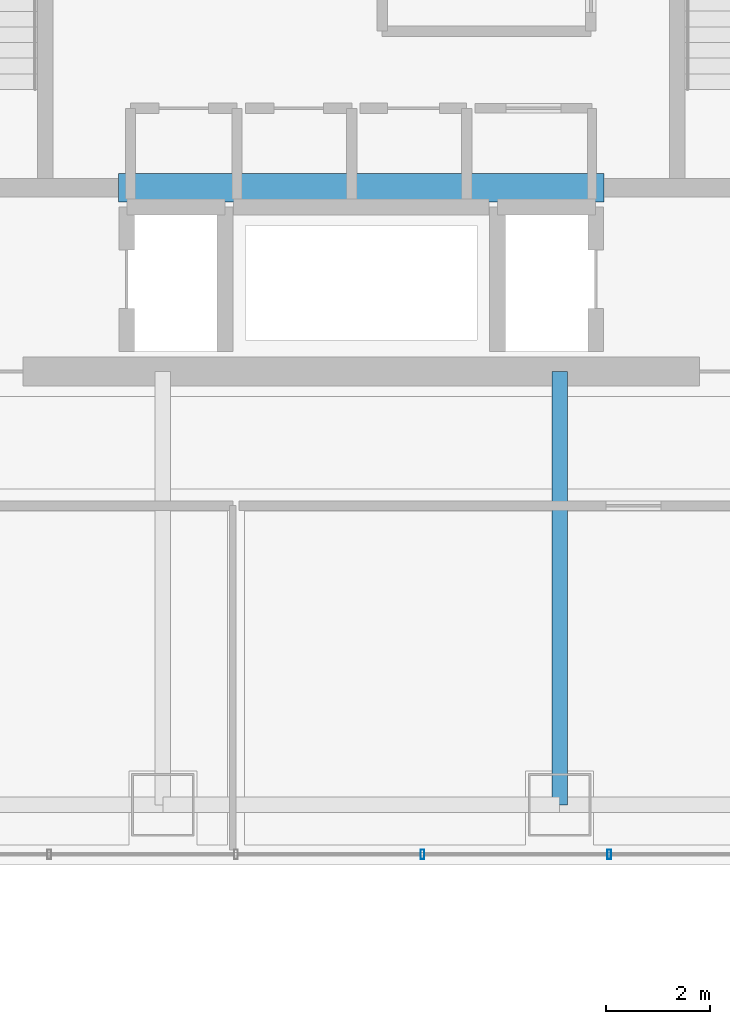
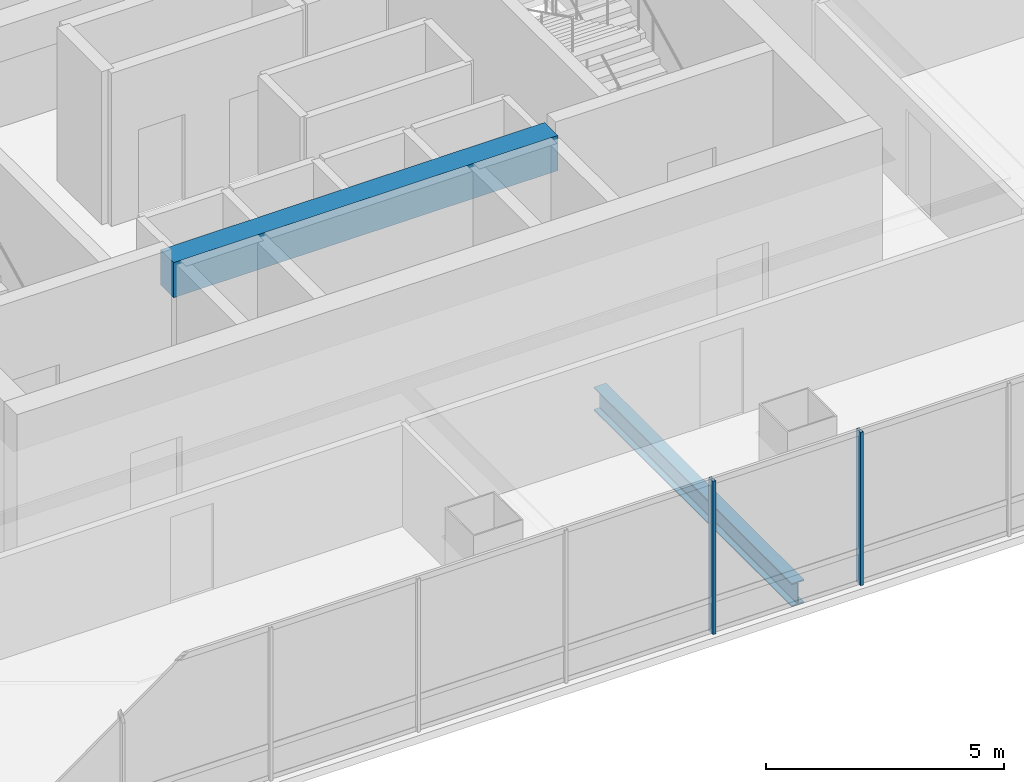
# One storey, part 8 of 51: 2 beams, 2 members, 1 element without a shape of its own.
"""IFC4 building model written with IfcOpenShell, lengths in metres."""

from ifc_helpers import new_model, si_unit, direction, frame, origin, origin_2d, place, context, subcontext, project, spatial, rectangle, hollow_rectangle, i_section, extrude, material, material_profile, profile_set, type_object, element, aggregate, save


model = new_model("IFC4")

# Units and contexts
model_context = context("Model", 3, precision=1e-05, world=origin(), true_north=direction((0.0, 1.0)))
body_context = subcontext(model_context, "Body", "Model", "MODEL_VIEW")
ifc_project = project(units=[si_unit("LENGTHUNIT", "METRE"), si_unit("AREAUNIT", "SQUARE_METRE"), si_unit("VOLUMEUNIT", "CUBIC_METRE"), si_unit("PLANEANGLEUNIT", "RADIAN"), si_unit("MASSUNIT", "GRAM", prefix="KILO")], contexts=[model_context])

# Site, building, storey
site_placement = place(None, origin())
site = spatial("IfcSite", under=ifc_project, at=site_placement, CompositionType="ELEMENT")
building_placement = place(site_placement, origin())
building = spatial("IfcBuilding", under=site, at=building_placement, Name="Punatoya Terracotta Tower", CompositionType="ELEMENT")
storey_placement = place(building_placement, frame((0.0, 0.0, 313.199951171875)))
storey = spatial("IfcBuildingStorey", under=building, at=storey_placement, Name="L74", CompositionType="ELEMENT", Elevation=313.199951171875)

# Beams
ifc_material_1 = material(Name="Steel S355", Category="steel")
ifc_material_profile_1 = material_profile(ifc_material_1, i_section(OverallWidth=0.300048828125, OverallDepth=0.60009765625, WebThickness=0.015380859375, FlangeThickness=0.030029296875, FilletRadius=0.01806640625, at=origin_2d()))
ifc_profile_set_1 = profile_set([ifc_material_profile_1], Name="Steel S355")
beam_type_1 = type_object("IfcBeamType", Name="BM-PRI-600", PredefinedType="BEAM", material=ifc_profile_set_1)
beam_1_placement = place(storey_placement, frame((3.800048828125, -17.5, -0.5), z_axis=(0.0, 1.0, 0.0), x_axis=(-1.0, 0.0, 0.0)))
element("IfcBeam", 1, at=beam_1_placement, inside=storey, type_object=beam_type_1, Name="BM-L74-PR-S3", PredefinedType="BEAM", context=body_context, shape_type="SweptSolid", body=[
    extrude(i_section(OverallWidth=0.300048828125, OverallDepth=0.60009765625, WebThickness=0.015380859375, FlangeThickness=0.030029296875, FilletRadius=0.01806640625, at=origin_2d()), origin(), (0.0, 0.0, 1.0), 8.300048828125),
])
ifc_material_2 = material(Name="Concrete C50/60", Category="concrete")
ifc_material_profile_2 = material_profile(ifc_material_2, rectangle(XDim=0.550048828125, YDim=0.89990234375, at=origin_2d()))
ifc_profile_set_2 = profile_set([ifc_material_profile_2], Name="Concrete C50/60")
beam_type_2 = type_object("IfcBeamType", Name="BM-RC-900", PredefinedType="LINTEL", material=ifc_profile_set_2)
beam_2_placement = place(storey_placement, frame((-4.64990234375, -5.679931640625, 3.469970703125), z_axis=(1.0, 0.0, 0.0), x_axis=(0.0, 1.0, 0.0)))
element("IfcBeam", 2, at=beam_2_placement, inside=storey, type_object=beam_type_2, Name="L74 Core Coupling Lintel CSW", PredefinedType="LINTEL", context=body_context, shape_type="SweptSolid", body=[
    extrude(rectangle(XDim=0.550048828125, YDim=0.89990234375, at=origin_2d()), origin(), (0.0, 0.0, 1.0), 9.2998046875),
])

# Curtain wall, members
ifc_material_3 = material(Name="Aluminium 6063-T6 + Double Low-E Glass", Category="aluminium")
curtain_wall_type = type_object("IfcCurtainWallType", Name="CW-M3", PredefinedType="NOTDEFINED", material=ifc_material_3)
curtain_wall_placement = place(storey_placement, origin())
curtain_wall = element("IfcCurtainWall", 3, at=curtain_wall_placement, inside=storey, type_object=curtain_wall_type, Name="L74 Curtain Wall CW-L74-S01-1", PredefinedType="NOTDEFINED")
ifc_material_4 = material(Name="Aluminium 6063-T6", Category="aluminium")
ifc_material_profile_3 = material_profile(ifc_material_4, hollow_rectangle(XDim=0.070068359375, YDim=0.179931640625, WallThickness=0.00390625, at=origin_2d()))
ifc_profile_set_3 = profile_set([ifc_material_profile_3], Name="Aluminium 6063-T6")
member_type = type_object("IfcMemberType", Name="CW-MUL-M3", PredefinedType="MULLION", material=ifc_profile_set_3)
member_1_placement = place(storey_placement, frame((1.175048828125, -18.449951171875, 0.0), z_axis=(0.0, 0.0, 1.0), x_axis=(1.0, 0.0, 0.0)))
member_1 = element("IfcMember", 4, at=member_1_placement, type_object=member_type, Name="CW-L74-S01-1 Mullion 05", PredefinedType="MULLION", context=body_context, shape_type="SweptSolid", body=[
    extrude(hollow_rectangle(XDim=0.070068359375, YDim=0.179931640625, WallThickness=0.00390625, at=origin_2d()), origin(), (0.0, 0.0, 1.0), 3.920166015625),
])
member_2_placement = place(storey_placement, frame((4.75, -18.449951171875, 0.0), z_axis=(0.0, 0.0, 1.0), x_axis=(1.0, 0.0, 0.0)))
member_2 = element("IfcMember", 5, at=member_2_placement, type_object=member_type, Name="CW-L74-S01-1 Mullion 06", PredefinedType="MULLION", context=body_context, shape_type="SweptSolid", body=[
    extrude(hollow_rectangle(XDim=0.070068359375, YDim=0.179931640625, WallThickness=0.00390625, at=origin_2d()), origin(), (0.0, 0.0, 1.0), 3.920166015625),
])
aggregate(curtain_wall, [member_1, member_2])

save(model, "model.ifc")
